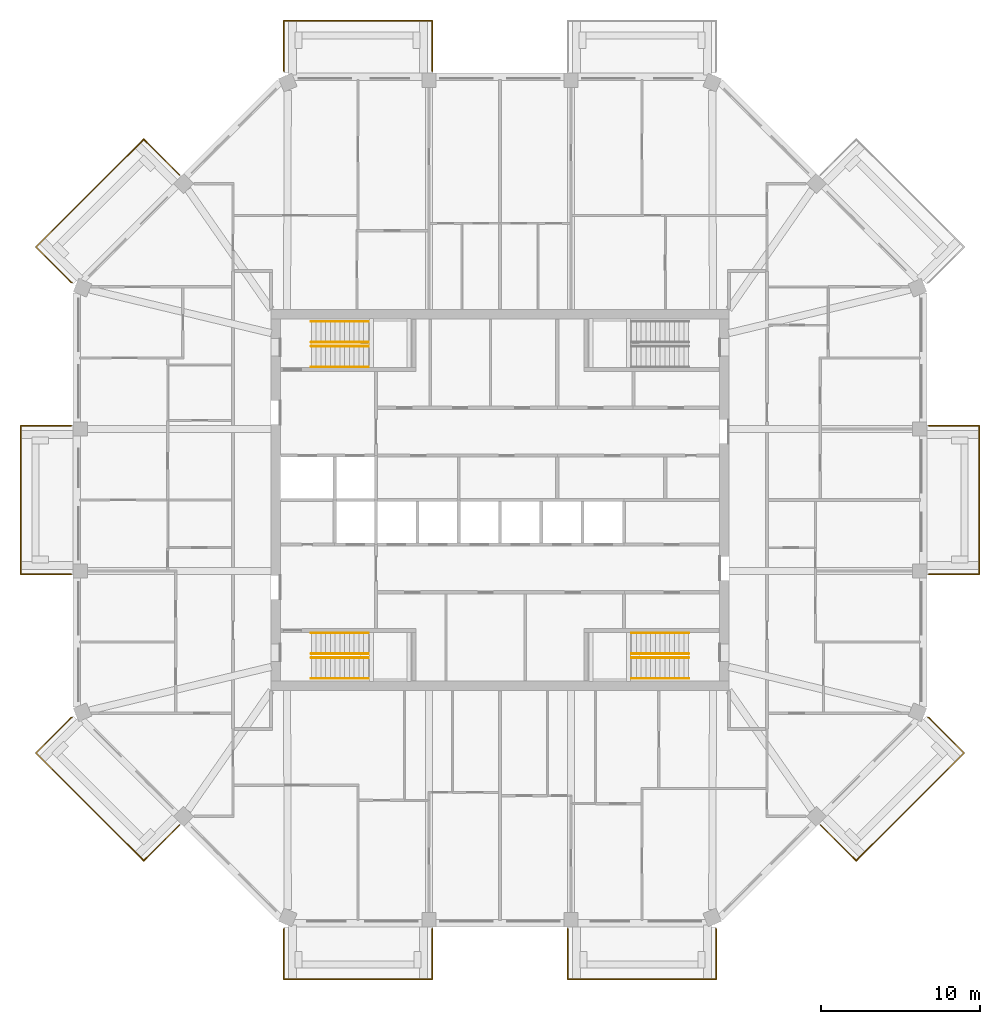
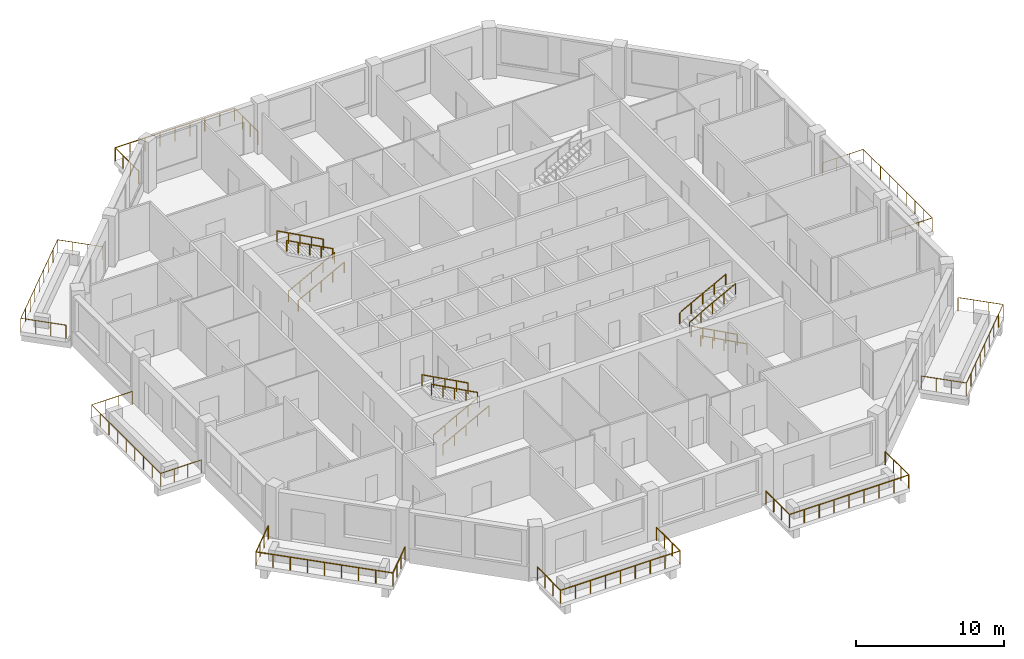
# One storey, part 11 of 12: 20 railings.
"""IFC4 building model written with IfcOpenShell, lengths in metres."""

from ifc_helpers import new_model, si_unit, direction, frame, origin, origin_2d, place, context, subcontext, project, spatial, circle, extrude, material, constituent, constituent_set, type_object, element, save


model = new_model("IFC4")

# Units and contexts
model_context = context("Model", 3, precision=1e-05, world=origin(), true_north=direction((0.0, 1.0)))
body_context = subcontext(model_context, "Body", "Model", "MODEL_VIEW")
ifc_project = project(units=[si_unit("LENGTHUNIT", "METRE"), si_unit("AREAUNIT", "SQUARE_METRE"), si_unit("VOLUMEUNIT", "CUBIC_METRE"), si_unit("PLANEANGLEUNIT", "RADIAN"), si_unit("MASSUNIT", "GRAM", prefix="KILO")], contexts=[model_context])

# Site, building, storey
site_placement = place(None, origin())
site = spatial("IfcSite", under=ifc_project, at=site_placement, CompositionType="ELEMENT")
building_placement = place(site_placement, origin())
building = spatial("IfcBuilding", under=site, at=building_placement, Name="Msitu Wima Residences", CompositionType="ELEMENT")
storey_placement = place(building_placement, frame((0.0, 0.0, 255.89990234375)))
storey = spatial("IfcBuildingStorey", under=building, at=storey_placement, Name="L59", CompositionType="ELEMENT", Elevation=255.89990234375)

# Railings
ifc_material_1 = material(Name="Steel S355", Category="steel")
ifc_constituent_1 = constituent(ifc_material_1, Name="Steel S355")
ifc_material_2 = material(Name="Weathering patina")
ifc_constituent_2 = constituent(ifc_material_2, Name="Weathering patina")
ifc_constituent_set_1 = constituent_set(constituents=[ifc_constituent_1, ifc_constituent_2], Name="Steel S355")
railing_type_1 = type_object("IfcRailingType", Name="Balcony guard GR1100", PredefinedType="GUARDRAIL", material=ifc_constituent_set_1)
railing_1_placement = place(storey_placement, frame((26.97998046875, 4.668701171875, 0.0)))
element("IfcRailing", 1, at=railing_1_placement, inside=storey, type_object=railing_type_1, Name="Balcony guard E1 L59", PredefinedType="GUARDRAIL", context=body_context, shape_type="SweptSolid", body=[
    extrude(circle(Radius=0.02392578125, at=origin_2d()), frame((0.0, 0.0, 1.076171875), z_axis=(1.0, 0.0, 0.0), x_axis=(0.0, 1.0, 0.0)), (0.0, 0.0, 1.0), 3.169921875),
    extrude(circle(Radius=0.02392578125, at=origin_2d()), frame((3.169921875, 0.0, 1.076171875), z_axis=(0.0, -1.0, 0.0), x_axis=(1.0, 0.0, 0.0)), (0.0, 0.0, 1.0), 9.33740234375),
    extrude(circle(Radius=0.02392578125, at=origin_2d()), frame((3.169921875, -9.33740234375, 1.076171875), z_axis=(-1.0, 0.0, 0.0), x_axis=(0.0, -1.0, 0.0)), (0.0, 0.0, 1.0), 3.169921875),
    extrude(circle(Radius=0.02099609375, at=origin_2d()), origin(), (0.0, 0.0, 1.0), 1.052001953125),
    extrude(circle(Radius=0.02099609375, at=origin_2d()), frame((1.056640625, 0.0, 0.0)), (0.0, 0.0, 1.0), 1.052001953125),
    extrude(circle(Radius=0.02099609375, at=origin_2d()), frame((2.11328125, 0.0, 0.0)), (0.0, 0.0, 1.0), 1.052001953125),
    extrude(circle(Radius=0.02099609375, at=origin_2d()), frame((3.169921875, 0.0, 0.0)), (0.0, 0.0, 1.0), 1.052001953125),
    extrude(circle(Radius=0.02099609375, at=origin_2d()), frame((3.169921875, -1.167236328125, 0.0)), (0.0, 0.0, 1.0), 1.052001953125),
    extrude(circle(Radius=0.02099609375, at=origin_2d()), frame((3.169921875, -2.33447265625, 0.0)), (0.0, 0.0, 1.0), 1.052001953125),
    extrude(circle(Radius=0.02099609375, at=origin_2d()), frame((3.169921875, -3.50146484375, 0.0)), (0.0, 0.0, 1.0), 1.052001953125),
    extrude(circle(Radius=0.02099609375, at=origin_2d()), frame((3.169921875, -4.668701171875, 0.0)), (0.0, 0.0, 1.0), 1.052001953125),
    extrude(circle(Radius=0.02099609375, at=origin_2d()), frame((3.169921875, -5.8359375, 0.0)), (0.0, 0.0, 1.0), 1.052001953125),
    extrude(circle(Radius=0.02099609375, at=origin_2d()), frame((3.169921875, -7.0029296875, 0.0)), (0.0, 0.0, 1.0), 1.052001953125),
    extrude(circle(Radius=0.02099609375, at=origin_2d()), frame((3.169921875, -8.170166015625, 0.0)), (0.0, 0.0, 1.0), 1.052001953125),
    extrude(circle(Radius=0.02099609375, at=origin_2d()), frame((3.169921875, -9.33740234375, 0.0)), (0.0, 0.0, 1.0), 1.052001953125),
    extrude(circle(Radius=0.02099609375, at=origin_2d()), frame((2.11328125, -9.33740234375, 0.0)), (0.0, 0.0, 1.0), 1.052001953125),
    extrude(circle(Radius=0.02099609375, at=origin_2d()), frame((1.056640625, -9.33740234375, 0.0)), (0.0, 0.0, 1.0), 1.052001953125),
    extrude(circle(Radius=0.02099609375, at=origin_2d()), frame((0.0, -9.33740234375, 0.0)), (0.0, 0.0, 1.0), 1.052001953125),
])
railing_2_placement = place(storey_placement, frame((-13.592041015625, 26.97998046875, 0.0)))
element("IfcRailing", 2, at=railing_2_placement, inside=storey, type_object=railing_type_1, Name="Balcony guard N2 L59", PredefinedType="GUARDRAIL", context=body_context, shape_type="SweptSolid", body=[
    extrude(circle(Radius=0.02392578125, at=origin_2d()), frame((0.0, 0.0, 1.076171875), z_axis=(-0.384136806859, 0.923276184907, 0.0), x_axis=(-0.923276184907, -0.384136806859, 0.0)), (0.0, 0.0, 1.0), 0.0361328125),
    extrude(circle(Radius=0.02392578125, at=origin_2d()), frame((-0.013916015625, 0.033447265625, 1.076171875), z_axis=(0.0, 1.0, 0.0), x_axis=(-1.0, 0.0, 0.0)), (0.0, 0.0, 1.0), 3.136474609375),
    extrude(circle(Radius=0.02392578125, at=origin_2d()), frame((-0.013916015625, 3.169921875, 1.076171875), z_axis=(1.0, 0.0, 0.0), x_axis=(0.0, 1.0, 0.0)), (0.0, 0.0, 1.0), 9.33740234375),
    extrude(circle(Radius=0.02392578125, at=origin_2d()), frame((9.323486328125, 3.169921875, 1.076171875), z_axis=(0.0, -1.0, 0.0), x_axis=(1.0, 0.0, 0.0)), (0.0, 0.0, 1.0), 3.169921875),
    extrude(circle(Radius=0.02099609375, at=origin_2d()), origin(), (0.0, 0.0, 1.0), 1.052001953125),
    extrude(circle(Radius=0.02099609375, at=origin_2d()), frame((-0.013916015625, 0.033447265625, 0.0)), (0.0, 0.0, 1.0), 1.052001953125),
    extrude(circle(Radius=0.02099609375, at=origin_2d()), frame((-0.013916015625, 1.078857421875, 0.0)), (0.0, 0.0, 1.0), 1.052001953125),
    extrude(circle(Radius=0.02099609375, at=origin_2d()), frame((-0.013916015625, 2.12451171875, 0.0)), (0.0, 0.0, 1.0), 1.052001953125),
    extrude(circle(Radius=0.02099609375, at=origin_2d()), frame((-0.013916015625, 3.169921875, 0.0)), (0.0, 0.0, 1.0), 1.052001953125),
    extrude(circle(Radius=0.02099609375, at=origin_2d()), frame((1.1533203125, 3.169921875, 0.0)), (0.0, 0.0, 1.0), 1.052001953125),
    extrude(circle(Radius=0.02099609375, at=origin_2d()), frame((2.3203125, 3.169921875, 0.0)), (0.0, 0.0, 1.0), 1.052001953125),
    extrude(circle(Radius=0.02099609375, at=origin_2d()), frame((3.487548828125, 3.169921875, 0.0)), (0.0, 0.0, 1.0), 1.052001953125),
    extrude(circle(Radius=0.02099609375, at=origin_2d()), frame((4.65478515625, 3.169921875, 0.0)), (0.0, 0.0, 1.0), 1.052001953125),
    extrude(circle(Radius=0.02099609375, at=origin_2d()), frame((5.822021484375, 3.169921875, 0.0)), (0.0, 0.0, 1.0), 1.052001953125),
    extrude(circle(Radius=0.02099609375, at=origin_2d()), frame((6.9892578125, 3.169921875, 0.0)), (0.0, 0.0, 1.0), 1.052001953125),
    extrude(circle(Radius=0.02099609375, at=origin_2d()), frame((8.15625, 3.169921875, 0.0)), (0.0, 0.0, 1.0), 1.052001953125),
    extrude(circle(Radius=0.02099609375, at=origin_2d()), frame((9.323486328125, 3.169921875, 0.0)), (0.0, 0.0, 1.0), 1.052001953125),
    extrude(circle(Radius=0.02099609375, at=origin_2d()), frame((9.323486328125, 2.11328125, 0.0)), (0.0, 0.0, 1.0), 1.052001953125),
    extrude(circle(Radius=0.02099609375, at=origin_2d()), frame((9.323486328125, 1.056640625, 0.0)), (0.0, 0.0, 1.0), 1.052001953125),
    extrude(circle(Radius=0.02099609375, at=origin_2d()), frame((9.323486328125, 0.0, 0.0)), (0.0, 0.0, 1.0), 1.052001953125),
])
railing_3_placement = place(storey_placement, frame((-26.941650390625, 13.684326171875, 0.0)))
element("IfcRailing", 3, at=railing_3_placement, inside=storey, type_object=railing_type_1, Name="Balcony guard NW1 L59", PredefinedType="GUARDRAIL", context=body_context, shape_type="SweptSolid", body=[
    extrude(circle(Radius=0.02392578125, at=origin_2d()), frame((0.0, 0.0, 1.076171875), z_axis=(-0.92426142649, 0.38176015442, 0.0), x_axis=(-0.38176015442, -0.92426142649, 0.0)), (0.0, 0.0, 1.0), 0.036376953125),
    extrude(circle(Radius=0.02392578125, at=origin_2d()), frame((-0.03369140625, 0.013916015625, 1.076171875), z_axis=(-0.707106781187, 0.707106781187, 0.0), x_axis=(-0.707106781187, -0.707106781187, 0.0)), (0.0, 0.0, 1.0), 3.136474609375),
    extrude(circle(Radius=0.02392578125, at=origin_2d()), frame((-2.25146484375, 2.231689453125, 1.076171875), z_axis=(0.707106781187, 0.707106781187, 0.0), x_axis=(-0.707106781187, 0.707106781187, 0.0)), (0.0, 0.0, 1.0), 9.58837890625),
    extrude(circle(Radius=0.02392578125, at=origin_2d()), frame((4.528564453125, 9.01171875, 1.076171875), z_axis=(0.707106781187, -0.707106781187, 0.0), x_axis=(0.707106781187, 0.707106781187, 0.0)), (0.0, 0.0, 1.0), 3.169921875),
    extrude(circle(Radius=0.02099609375, at=origin_2d()), origin(), (0.0, 0.0, 1.0), 1.052001953125),
    extrude(circle(Radius=0.02099609375, at=origin_2d()), frame((-0.03369140625, 0.013916015625, 0.0)), (0.0, 0.0, 1.0), 1.052001953125),
    extrude(circle(Radius=0.02099609375, at=origin_2d()), frame((-0.77294921875, 0.753173828125, 0.0)), (0.0, 0.0, 1.0), 1.052001953125),
    extrude(circle(Radius=0.02099609375, at=origin_2d()), frame((-1.51220703125, 1.492431640625, 0.0)), (0.0, 0.0, 1.0), 1.052001953125),
    extrude(circle(Radius=0.02099609375, at=origin_2d()), frame((-2.25146484375, 2.231689453125, 0.0)), (0.0, 0.0, 1.0), 1.052001953125),
    extrude(circle(Radius=0.02099609375, at=origin_2d()), frame((-1.404052734375, 3.0791015625, 0.0)), (0.0, 0.0, 1.0), 1.052001953125),
    extrude(circle(Radius=0.02099609375, at=origin_2d()), frame((-0.556396484375, 3.9267578125, 0.0)), (0.0, 0.0, 1.0), 1.052001953125),
    extrude(circle(Radius=0.02099609375, at=origin_2d()), frame((0.291015625, 4.774169921875, 0.0)), (0.0, 0.0, 1.0), 1.052001953125),
    extrude(circle(Radius=0.02099609375, at=origin_2d()), frame((1.138671875, 5.62158203125, 0.0)), (0.0, 0.0, 1.0), 1.052001953125),
    extrude(circle(Radius=0.02099609375, at=origin_2d()), frame((1.986083984375, 6.46923828125, 0.0)), (0.0, 0.0, 1.0), 1.052001953125),
    extrude(circle(Radius=0.02099609375, at=origin_2d()), frame((2.83349609375, 7.316650390625, 0.0)), (0.0, 0.0, 1.0), 1.052001953125),
    extrude(circle(Radius=0.02099609375, at=origin_2d()), frame((3.68115234375, 8.164306640625, 0.0)), (0.0, 0.0, 1.0), 1.052001953125),
    extrude(circle(Radius=0.02099609375, at=origin_2d()), frame((4.528564453125, 9.01171875, 0.0)), (0.0, 0.0, 1.0), 1.052001953125),
    extrude(circle(Radius=0.02099609375, at=origin_2d()), frame((5.275634765625, 8.2646484375, 0.0)), (0.0, 0.0, 1.0), 1.052001953125),
    extrude(circle(Radius=0.02099609375, at=origin_2d()), frame((6.02294921875, 7.517333984375, 0.0)), (0.0, 0.0, 1.0), 1.052001953125),
    extrude(circle(Radius=0.02099609375, at=origin_2d()), frame((6.77001953125, 6.770263671875, 0.0)), (0.0, 0.0, 1.0), 1.052001953125),
])
railing_4_placement = place(storey_placement, frame((-26.97998046875, -4.668701171875, 0.0)))
element("IfcRailing", 4, at=railing_4_placement, inside=storey, type_object=railing_type_1, Name="Balcony guard W1 L59", PredefinedType="GUARDRAIL", context=body_context, shape_type="SweptSolid", body=[
    extrude(circle(Radius=0.02392578125, at=origin_2d()), frame((0.0, 0.0, 1.076171875), z_axis=(-1.0, 0.0, 0.0), x_axis=(0.0, -1.0, 0.0)), (0.0, 0.0, 1.0), 3.169921875),
    extrude(circle(Radius=0.02392578125, at=origin_2d()), frame((-3.169921875, 0.0, 1.076171875), z_axis=(0.0, 1.0, 0.0), x_axis=(-1.0, 0.0, 0.0)), (0.0, 0.0, 1.0), 9.33740234375),
    extrude(circle(Radius=0.02392578125, at=origin_2d()), frame((-3.169921875, 9.33740234375, 1.076171875), z_axis=(1.0, 0.0, 0.0), x_axis=(0.0, 1.0, 0.0)), (0.0, 0.0, 1.0), 3.169921875),
    extrude(circle(Radius=0.02099609375, at=origin_2d()), origin(), (0.0, 0.0, 1.0), 1.052001953125),
    extrude(circle(Radius=0.02099609375, at=origin_2d()), frame((-1.056640625, 0.0, 0.0)), (0.0, 0.0, 1.0), 1.052001953125),
    extrude(circle(Radius=0.02099609375, at=origin_2d()), frame((-2.11328125, 0.0, 0.0)), (0.0, 0.0, 1.0), 1.052001953125),
    extrude(circle(Radius=0.02099609375, at=origin_2d()), frame((-3.169921875, 0.0, 0.0)), (0.0, 0.0, 1.0), 1.052001953125),
    extrude(circle(Radius=0.02099609375, at=origin_2d()), frame((-3.169921875, 1.167236328125, 0.0)), (0.0, 0.0, 1.0), 1.052001953125),
    extrude(circle(Radius=0.02099609375, at=origin_2d()), frame((-3.169921875, 2.33447265625, 0.0)), (0.0, 0.0, 1.0), 1.052001953125),
    extrude(circle(Radius=0.02099609375, at=origin_2d()), frame((-3.169921875, 3.50146484375, 0.0)), (0.0, 0.0, 1.0), 1.052001953125),
    extrude(circle(Radius=0.02099609375, at=origin_2d()), frame((-3.169921875, 4.668701171875, 0.0)), (0.0, 0.0, 1.0), 1.052001953125),
    extrude(circle(Radius=0.02099609375, at=origin_2d()), frame((-3.169921875, 5.8359375, 0.0)), (0.0, 0.0, 1.0), 1.052001953125),
    extrude(circle(Radius=0.02099609375, at=origin_2d()), frame((-3.169921875, 7.0029296875, 0.0)), (0.0, 0.0, 1.0), 1.052001953125),
    extrude(circle(Radius=0.02099609375, at=origin_2d()), frame((-3.169921875, 8.170166015625, 0.0)), (0.0, 0.0, 1.0), 1.052001953125),
    extrude(circle(Radius=0.02099609375, at=origin_2d()), frame((-3.169921875, 9.33740234375, 0.0)), (0.0, 0.0, 1.0), 1.052001953125),
    extrude(circle(Radius=0.02099609375, at=origin_2d()), frame((-2.11328125, 9.33740234375, 0.0)), (0.0, 0.0, 1.0), 1.052001953125),
    extrude(circle(Radius=0.02099609375, at=origin_2d()), frame((-1.056640625, 9.33740234375, 0.0)), (0.0, 0.0, 1.0), 1.052001953125),
    extrude(circle(Radius=0.02099609375, at=origin_2d()), frame((0.0, 9.33740234375, 0.0)), (0.0, 0.0, 1.0), 1.052001953125),
])
railing_5_placement = place(storey_placement, frame((-20.171630859375, -20.45458984375, 0.0)))
element("IfcRailing", 5, at=railing_5_placement, inside=storey, type_object=railing_type_1, Name="Balcony guard SW0 L59", PredefinedType="GUARDRAIL", context=body_context, shape_type="SweptSolid", body=[
    extrude(circle(Radius=0.02392578125, at=origin_2d()), frame((0.0, 0.0, 1.076171875), z_axis=(-0.707106781187, -0.707106781187, 0.0), x_axis=(0.707106781187, -0.707106781187, 0.0)), (0.0, 0.0, 1.0), 3.169921875),
    extrude(circle(Radius=0.02392578125, at=origin_2d()), frame((-2.241455078125, -2.241455078125, 1.076171875), z_axis=(-0.707106781187, 0.707106781187, 0.0), x_axis=(-0.707106781187, -0.707106781187, 0.0)), (0.0, 0.0, 1.0), 9.58837890625),
    extrude(circle(Radius=0.02392578125, at=origin_2d()), frame((-9.021484375, 4.53857421875, 1.076171875), z_axis=(0.707106781187, 0.707106781187, 0.0), x_axis=(-0.707106781187, 0.707106781187, 0.0)), (0.0, 0.0, 1.0), 3.136474609375),
    extrude(circle(Radius=0.02392578125, at=origin_2d()), frame((-6.8037109375, 6.75634765625, 1.076171875), z_axis=(0.92426142649, 0.38176015442, 0.0), x_axis=(-0.38176015442, 0.92426142649, 0.0)), (0.0, 0.0, 1.0), 0.036376953125),
    extrude(circle(Radius=0.02099609375, at=origin_2d()), origin(), (0.0, 0.0, 1.0), 1.052001953125),
    extrude(circle(Radius=0.02099609375, at=origin_2d()), frame((-0.7470703125, -0.7470703125, 0.0)), (0.0, 0.0, 1.0), 1.052001953125),
    extrude(circle(Radius=0.02099609375, at=origin_2d()), frame((-1.494384765625, -1.494384765625, 0.0)), (0.0, 0.0, 1.0), 1.052001953125),
    extrude(circle(Radius=0.02099609375, at=origin_2d()), frame((-2.241455078125, -2.241455078125, 0.0)), (0.0, 0.0, 1.0), 1.052001953125),
    extrude(circle(Radius=0.02099609375, at=origin_2d()), frame((-3.0888671875, -1.39404296875, 0.0)), (0.0, 0.0, 1.0), 1.052001953125),
    extrude(circle(Radius=0.02099609375, at=origin_2d()), frame((-3.9365234375, -0.54638671875, 0.0)), (0.0, 0.0, 1.0), 1.052001953125),
    extrude(circle(Radius=0.02099609375, at=origin_2d()), frame((-4.783935546875, 0.301025390625, 0.0)), (0.0, 0.0, 1.0), 1.052001953125),
    extrude(circle(Radius=0.02099609375, at=origin_2d()), frame((-5.63134765625, 1.1484375, 0.0)), (0.0, 0.0, 1.0), 1.052001953125),
    extrude(circle(Radius=0.02099609375, at=origin_2d()), frame((-6.47900390625, 1.99609375, 0.0)), (0.0, 0.0, 1.0), 1.052001953125),
    extrude(circle(Radius=0.02099609375, at=origin_2d()), frame((-7.326416015625, 2.843505859375, 0.0)), (0.0, 0.0, 1.0), 1.052001953125),
    extrude(circle(Radius=0.02099609375, at=origin_2d()), frame((-8.174072265625, 3.691162109375, 0.0)), (0.0, 0.0, 1.0), 1.052001953125),
    extrude(circle(Radius=0.02099609375, at=origin_2d()), frame((-9.021484375, 4.53857421875, 0.0)), (0.0, 0.0, 1.0), 1.052001953125),
    extrude(circle(Radius=0.02099609375, at=origin_2d()), frame((-8.2822265625, 5.27783203125, 0.0)), (0.0, 0.0, 1.0), 1.052001953125),
    extrude(circle(Radius=0.02099609375, at=origin_2d()), frame((-7.54296875, 6.01708984375, 0.0)), (0.0, 0.0, 1.0), 1.052001953125),
    extrude(circle(Radius=0.02099609375, at=origin_2d()), frame((-6.8037109375, 6.75634765625, 0.0)), (0.0, 0.0, 1.0), 1.052001953125),
    extrude(circle(Radius=0.02099609375, at=origin_2d()), frame((-6.77001953125, 6.770263671875, 0.0)), (0.0, 0.0, 1.0), 1.052001953125),
])
railing_6_placement = place(storey_placement, frame((-4.2685546875, -26.97998046875, 0.0)))
element("IfcRailing", 6, at=railing_6_placement, inside=storey, type_object=railing_type_1, Name="Balcony guard S0 L59", PredefinedType="GUARDRAIL", context=body_context, shape_type="SweptSolid", body=[
    extrude(circle(Radius=0.02392578125, at=origin_2d()), frame((0.0, 0.0, 1.076171875), z_axis=(0.0, -1.0, 0.0), x_axis=(1.0, 0.0, 0.0)), (0.0, 0.0, 1.0), 3.169921875),
    extrude(circle(Radius=0.02392578125, at=origin_2d()), frame((0.0, -3.169921875, 1.076171875), z_axis=(-1.0, 0.0, 0.0), x_axis=(0.0, -1.0, 0.0)), (0.0, 0.0, 1.0), 9.33740234375),
    extrude(circle(Radius=0.02392578125, at=origin_2d()), frame((-9.33740234375, -3.169921875, 1.076171875), z_axis=(0.0, 1.0, 0.0), x_axis=(-1.0, 0.0, 0.0)), (0.0, 0.0, 1.0), 3.136474609375),
    extrude(circle(Radius=0.02392578125, at=origin_2d()), frame((-9.33740234375, -0.033447265625, 1.076171875), z_axis=(0.384136806859, 0.923276184907, 0.0), x_axis=(-0.923276184907, 0.384136806859, 0.0)), (0.0, 0.0, 1.0), 0.0361328125),
    extrude(circle(Radius=0.02099609375, at=origin_2d()), origin(), (0.0, 0.0, 1.0), 1.052001953125),
    extrude(circle(Radius=0.02099609375, at=origin_2d()), frame((0.0, -1.056640625, 0.0)), (0.0, 0.0, 1.0), 1.052001953125),
    extrude(circle(Radius=0.02099609375, at=origin_2d()), frame((0.0, -2.11328125, 0.0)), (0.0, 0.0, 1.0), 1.052001953125),
    extrude(circle(Radius=0.02099609375, at=origin_2d()), frame((0.0, -3.169921875, 0.0)), (0.0, 0.0, 1.0), 1.052001953125),
    extrude(circle(Radius=0.02099609375, at=origin_2d()), frame((-1.167236328125, -3.169921875, 0.0)), (0.0, 0.0, 1.0), 1.052001953125),
    extrude(circle(Radius=0.02099609375, at=origin_2d()), frame((-2.33447265625, -3.169921875, 0.0)), (0.0, 0.0, 1.0), 1.052001953125),
    extrude(circle(Radius=0.02099609375, at=origin_2d()), frame((-3.50146484375, -3.169921875, 0.0)), (0.0, 0.0, 1.0), 1.052001953125),
    extrude(circle(Radius=0.02099609375, at=origin_2d()), frame((-4.668701171875, -3.169921875, 0.0)), (0.0, 0.0, 1.0), 1.052001953125),
    extrude(circle(Radius=0.02099609375, at=origin_2d()), frame((-5.8359375, -3.169921875, 0.0)), (0.0, 0.0, 1.0), 1.052001953125),
    extrude(circle(Radius=0.02099609375, at=origin_2d()), frame((-7.0029296875, -3.169921875, 0.0)), (0.0, 0.0, 1.0), 1.052001953125),
    extrude(circle(Radius=0.02099609375, at=origin_2d()), frame((-8.170166015625, -3.169921875, 0.0)), (0.0, 0.0, 1.0), 1.052001953125),
    extrude(circle(Radius=0.02099609375, at=origin_2d()), frame((-9.33740234375, -3.169921875, 0.0)), (0.0, 0.0, 1.0), 1.052001953125),
    extrude(circle(Radius=0.02099609375, at=origin_2d()), frame((-9.33740234375, -2.12451171875, 0.0)), (0.0, 0.0, 1.0), 1.052001953125),
    extrude(circle(Radius=0.02099609375, at=origin_2d()), frame((-9.33740234375, -1.078857421875, 0.0)), (0.0, 0.0, 1.0), 1.052001953125),
    extrude(circle(Radius=0.02099609375, at=origin_2d()), frame((-9.33740234375, -0.033447265625, 0.0)), (0.0, 0.0, 1.0), 1.052001953125),
    extrude(circle(Radius=0.02099609375, at=origin_2d()), frame((-9.323486328125, 0.0, 0.0)), (0.0, 0.0, 1.0), 1.052001953125),
])
railing_7_placement = place(storey_placement, frame((13.592041015625, -26.97998046875, 0.0)))
element("IfcRailing", 7, at=railing_7_placement, inside=storey, type_object=railing_type_1, Name="Balcony guard S2 L59", PredefinedType="GUARDRAIL", context=body_context, shape_type="SweptSolid", body=[
    extrude(circle(Radius=0.02392578125, at=origin_2d()), frame((0.0, 0.0, 1.076171875), z_axis=(0.384136806859, -0.923276184907, 0.0), x_axis=(0.923276184907, 0.384136806859, 0.0)), (0.0, 0.0, 1.0), 0.0361328125),
    extrude(circle(Radius=0.02392578125, at=origin_2d()), frame((0.013916015625, -0.033447265625, 1.076171875), z_axis=(0.0, -1.0, 0.0), x_axis=(1.0, 0.0, 0.0)), (0.0, 0.0, 1.0), 3.136474609375),
    extrude(circle(Radius=0.02392578125, at=origin_2d()), frame((0.013916015625, -3.169921875, 1.076171875), z_axis=(-1.0, 0.0, 0.0), x_axis=(0.0, -1.0, 0.0)), (0.0, 0.0, 1.0), 9.33740234375),
    extrude(circle(Radius=0.02392578125, at=origin_2d()), frame((-9.323486328125, -3.169921875, 1.076171875), z_axis=(0.0, 1.0, 0.0), x_axis=(-1.0, 0.0, 0.0)), (0.0, 0.0, 1.0), 3.169921875),
    extrude(circle(Radius=0.02099609375, at=origin_2d()), origin(), (0.0, 0.0, 1.0), 1.052001953125),
    extrude(circle(Radius=0.02099609375, at=origin_2d()), frame((0.013916015625, -0.033447265625, 0.0)), (0.0, 0.0, 1.0), 1.052001953125),
    extrude(circle(Radius=0.02099609375, at=origin_2d()), frame((0.013916015625, -1.078857421875, 0.0)), (0.0, 0.0, 1.0), 1.052001953125),
    extrude(circle(Radius=0.02099609375, at=origin_2d()), frame((0.013916015625, -2.12451171875, 0.0)), (0.0, 0.0, 1.0), 1.052001953125),
    extrude(circle(Radius=0.02099609375, at=origin_2d()), frame((0.013916015625, -3.169921875, 0.0)), (0.0, 0.0, 1.0), 1.052001953125),
    extrude(circle(Radius=0.02099609375, at=origin_2d()), frame((-1.1533203125, -3.169921875, 0.0)), (0.0, 0.0, 1.0), 1.052001953125),
    extrude(circle(Radius=0.02099609375, at=origin_2d()), frame((-2.3203125, -3.169921875, 0.0)), (0.0, 0.0, 1.0), 1.052001953125),
    extrude(circle(Radius=0.02099609375, at=origin_2d()), frame((-3.487548828125, -3.169921875, 0.0)), (0.0, 0.0, 1.0), 1.052001953125),
    extrude(circle(Radius=0.02099609375, at=origin_2d()), frame((-4.65478515625, -3.169921875, 0.0)), (0.0, 0.0, 1.0), 1.052001953125),
    extrude(circle(Radius=0.02099609375, at=origin_2d()), frame((-5.822021484375, -3.169921875, 0.0)), (0.0, 0.0, 1.0), 1.052001953125),
    extrude(circle(Radius=0.02099609375, at=origin_2d()), frame((-6.9892578125, -3.169921875, 0.0)), (0.0, 0.0, 1.0), 1.052001953125),
    extrude(circle(Radius=0.02099609375, at=origin_2d()), frame((-8.15625, -3.169921875, 0.0)), (0.0, 0.0, 1.0), 1.052001953125),
    extrude(circle(Radius=0.02099609375, at=origin_2d()), frame((-9.323486328125, -3.169921875, 0.0)), (0.0, 0.0, 1.0), 1.052001953125),
    extrude(circle(Radius=0.02099609375, at=origin_2d()), frame((-9.323486328125, -2.11328125, 0.0)), (0.0, 0.0, 1.0), 1.052001953125),
    extrude(circle(Radius=0.02099609375, at=origin_2d()), frame((-9.323486328125, -1.056640625, 0.0)), (0.0, 0.0, 1.0), 1.052001953125),
    extrude(circle(Radius=0.02099609375, at=origin_2d()), frame((-9.323486328125, 0.0, 0.0)), (0.0, 0.0, 1.0), 1.052001953125),
])
railing_8_placement = place(storey_placement, frame((26.941650390625, -13.684326171875, 0.0)))
element("IfcRailing", 8, at=railing_8_placement, inside=storey, type_object=railing_type_1, Name="Balcony guard SE1 L59", PredefinedType="GUARDRAIL", context=body_context, shape_type="SweptSolid", body=[
    extrude(circle(Radius=0.02392578125, at=origin_2d()), frame((0.0, 0.0, 1.076171875), z_axis=(0.92426142649, -0.38176015442, 0.0), x_axis=(0.38176015442, 0.92426142649, 0.0)), (0.0, 0.0, 1.0), 0.036376953125),
    extrude(circle(Radius=0.02392578125, at=origin_2d()), frame((0.03369140625, -0.013916015625, 1.076171875), z_axis=(0.707106781187, -0.707106781187, 0.0), x_axis=(0.707106781187, 0.707106781187, 0.0)), (0.0, 0.0, 1.0), 3.136474609375),
    extrude(circle(Radius=0.02392578125, at=origin_2d()), frame((2.25146484375, -2.231689453125, 1.076171875), z_axis=(-0.707106781187, -0.707106781187, 0.0), x_axis=(0.707106781187, -0.707106781187, 0.0)), (0.0, 0.0, 1.0), 9.58837890625),
    extrude(circle(Radius=0.02392578125, at=origin_2d()), frame((-4.528564453125, -9.01171875, 1.076171875), z_axis=(-0.707106781187, 0.707106781187, 0.0), x_axis=(-0.707106781187, -0.707106781187, 0.0)), (0.0, 0.0, 1.0), 3.169921875),
    extrude(circle(Radius=0.02099609375, at=origin_2d()), origin(), (0.0, 0.0, 1.0), 1.052001953125),
    extrude(circle(Radius=0.02099609375, at=origin_2d()), frame((0.03369140625, -0.013916015625, 0.0)), (0.0, 0.0, 1.0), 1.052001953125),
    extrude(circle(Radius=0.02099609375, at=origin_2d()), frame((0.77294921875, -0.753173828125, 0.0)), (0.0, 0.0, 1.0), 1.052001953125),
    extrude(circle(Radius=0.02099609375, at=origin_2d()), frame((1.51220703125, -1.492431640625, 0.0)), (0.0, 0.0, 1.0), 1.052001953125),
    extrude(circle(Radius=0.02099609375, at=origin_2d()), frame((2.25146484375, -2.231689453125, 0.0)), (0.0, 0.0, 1.0), 1.052001953125),
    extrude(circle(Radius=0.02099609375, at=origin_2d()), frame((1.404052734375, -3.0791015625, 0.0)), (0.0, 0.0, 1.0), 1.052001953125),
    extrude(circle(Radius=0.02099609375, at=origin_2d()), frame((0.556396484375, -3.9267578125, 0.0)), (0.0, 0.0, 1.0), 1.052001953125),
    extrude(circle(Radius=0.02099609375, at=origin_2d()), frame((-0.291015625, -4.774169921875, 0.0)), (0.0, 0.0, 1.0), 1.052001953125),
    extrude(circle(Radius=0.02099609375, at=origin_2d()), frame((-1.138671875, -5.62158203125, 0.0)), (0.0, 0.0, 1.0), 1.052001953125),
    extrude(circle(Radius=0.02099609375, at=origin_2d()), frame((-1.986083984375, -6.46923828125, 0.0)), (0.0, 0.0, 1.0), 1.052001953125),
    extrude(circle(Radius=0.02099609375, at=origin_2d()), frame((-2.83349609375, -7.316650390625, 0.0)), (0.0, 0.0, 1.0), 1.052001953125),
    extrude(circle(Radius=0.02099609375, at=origin_2d()), frame((-3.68115234375, -8.164306640625, 0.0)), (0.0, 0.0, 1.0), 1.052001953125),
    extrude(circle(Radius=0.02099609375, at=origin_2d()), frame((-4.528564453125, -9.01171875, 0.0)), (0.0, 0.0, 1.0), 1.052001953125),
    extrude(circle(Radius=0.02099609375, at=origin_2d()), frame((-5.275634765625, -8.2646484375, 0.0)), (0.0, 0.0, 1.0), 1.052001953125),
    extrude(circle(Radius=0.02099609375, at=origin_2d()), frame((-6.02294921875, -7.517333984375, 0.0)), (0.0, 0.0, 1.0), 1.052001953125),
    extrude(circle(Radius=0.02099609375, at=origin_2d()), frame((-6.77001953125, -6.770263671875, 0.0)), (0.0, 0.0, 1.0), 1.052001953125),
])
ifc_constituent_3 = constituent(ifc_material_1, Name="Steel S355")
ifc_material_3 = material(Name="Black powder coating")
ifc_constituent_4 = constituent(ifc_material_3, Name="Black powder coating")
ifc_constituent_set_2 = constituent_set(constituents=[ifc_constituent_3, ifc_constituent_4], Name="Steel S355")
railing_type_2 = type_object("IfcRailingType", Name="Stair handrail HR1", PredefinedType="HANDRAIL", material=ifc_constituent_set_2)
for number, where, name in (
    (9, (-11.875, 8.375, 0.16162109375), "Stair 1 handrail"),
    (10, (-11.875, 9.675048828125, 0.16162109375), "Stair 1 handrail"),
):
    element("IfcRailing", number, at=place(storey_placement, frame(where)), inside=storey, type_object=railing_type_2, Name=name, PredefinedType="HANDRAIL", context=body_context, shape_type="SweptSolid", body=[
        extrude(circle(Radius=0.02392578125, at=origin_2d()), frame((0.0, 0.0, 0.8759765625), z_axis=(0.880474934443, 0.0, 0.474092701714), x_axis=(0.0, 1.0, 0.0)), (0.0, 0.0, 1.0), 4.0888671875),
        extrude(circle(Radius=0.02099609375, at=origin_2d()), origin(), (0.0, 0.0, 1.0), 0.851806640625),
        extrude(circle(Radius=0.02099609375, at=origin_2d()), frame((0.89990234375, 0.0, 0.484619140625)), (0.0, 0.0, 1.0), 0.851806640625),
        extrude(circle(Radius=0.02099609375, at=origin_2d()), frame((1.800048828125, 0.0, 0.96923828125)), (0.0, 0.0, 1.0), 0.851806640625),
        extrude(circle(Radius=0.02099609375, at=origin_2d()), frame((2.7001953125, 0.0, 1.453857421875)), (0.0, 0.0, 1.0), 0.851806640625),
        extrude(circle(Radius=0.02099609375, at=origin_2d()), frame((3.60009765625, 0.0, 1.9384765625)), (0.0, 0.0, 1.0), 0.851806640625),
    ])
for number, where, name in (
    (11, (-8.27490234375, 9.925048828125, 2.26171875), "Stair 1 handrail"),
    (12, (-8.27490234375, 11.22509765625, 2.26171875), "Stair 1 handrail"),
):
    element("IfcRailing", number, at=place(storey_placement, frame(where)), inside=storey, type_object=railing_type_2, Name=name, PredefinedType="HANDRAIL", context=body_context, shape_type="SweptSolid", body=[
        extrude(circle(Radius=0.02392578125, at=origin_2d()), frame((0.0, 0.0, 0.8759765625), z_axis=(-0.880474934443, 0.0, 0.474092701714), x_axis=(0.0, -1.0, 0.0)), (0.0, 0.0, 1.0), 4.0888671875),
        extrude(circle(Radius=0.02099609375, at=origin_2d()), origin(), (0.0, 0.0, 1.0), 0.851806640625),
        extrude(circle(Radius=0.02099609375, at=origin_2d()), frame((-0.89990234375, 0.0, 0.484619140625)), (0.0, 0.0, 1.0), 0.851806640625),
        extrude(circle(Radius=0.02099609375, at=origin_2d()), frame((-1.800048828125, 0.0, 0.96923828125)), (0.0, 0.0, 1.0), 0.851806640625),
        extrude(circle(Radius=0.02099609375, at=origin_2d()), frame((-2.7001953125, 0.0, 1.453857421875)), (0.0, 0.0, 1.0), 0.851806640625),
        extrude(circle(Radius=0.02099609375, at=origin_2d()), frame((-3.60009765625, 0.0, 1.9384765625)), (0.0, 0.0, 1.0), 0.851806640625),
    ])
for number, where, name in (
    (13, (-11.875, -11.22509765625, 0.16162109375), "Stair 2 handrail"),
    (14, (-11.875, -9.925048828125, 0.16162109375), "Stair 2 handrail"),
):
    element("IfcRailing", number, at=place(storey_placement, frame(where)), inside=storey, type_object=railing_type_2, Name=name, PredefinedType="HANDRAIL", context=body_context, shape_type="SweptSolid", body=[
        extrude(circle(Radius=0.02392578125, at=origin_2d()), frame((0.0, 0.0, 0.8759765625), z_axis=(0.880474934443, 0.0, 0.474092701714), x_axis=(0.0, 1.0, 0.0)), (0.0, 0.0, 1.0), 4.0888671875),
        extrude(circle(Radius=0.02099609375, at=origin_2d()), origin(), (0.0, 0.0, 1.0), 0.851806640625),
        extrude(circle(Radius=0.02099609375, at=origin_2d()), frame((0.89990234375, 0.0, 0.484619140625)), (0.0, 0.0, 1.0), 0.851806640625),
        extrude(circle(Radius=0.02099609375, at=origin_2d()), frame((1.800048828125, 0.0, 0.96923828125)), (0.0, 0.0, 1.0), 0.851806640625),
        extrude(circle(Radius=0.02099609375, at=origin_2d()), frame((2.7001953125, 0.0, 1.453857421875)), (0.0, 0.0, 1.0), 0.851806640625),
        extrude(circle(Radius=0.02099609375, at=origin_2d()), frame((3.60009765625, 0.0, 1.9384765625)), (0.0, 0.0, 1.0), 0.851806640625),
    ])
for number, where, name in (
    (15, (-8.27490234375, -9.675048828125, 2.26171875), "Stair 2 handrail"),
    (16, (-8.27490234375, -8.375, 2.26171875), "Stair 2 handrail"),
    (17, (11.875, -11.22509765625, 0.16162109375), "Stair 4 handrail"),
    (18, (11.875, -9.925048828125, 0.16162109375), "Stair 4 handrail"),
):
    element("IfcRailing", number, at=place(storey_placement, frame(where)), inside=storey, type_object=railing_type_2, Name=name, PredefinedType="HANDRAIL", context=body_context, shape_type="SweptSolid", body=[
        extrude(circle(Radius=0.02392578125, at=origin_2d()), frame((0.0, 0.0, 0.8759765625), z_axis=(-0.880474934443, 0.0, 0.474092701714), x_axis=(0.0, -1.0, 0.0)), (0.0, 0.0, 1.0), 4.0888671875),
        extrude(circle(Radius=0.02099609375, at=origin_2d()), origin(), (0.0, 0.0, 1.0), 0.851806640625),
        extrude(circle(Radius=0.02099609375, at=origin_2d()), frame((-0.89990234375, 0.0, 0.484619140625)), (0.0, 0.0, 1.0), 0.851806640625),
        extrude(circle(Radius=0.02099609375, at=origin_2d()), frame((-1.800048828125, 0.0, 0.96923828125)), (0.0, 0.0, 1.0), 0.851806640625),
        extrude(circle(Radius=0.02099609375, at=origin_2d()), frame((-2.7001953125, 0.0, 1.453857421875)), (0.0, 0.0, 1.0), 0.851806640625),
        extrude(circle(Radius=0.02099609375, at=origin_2d()), frame((-3.60009765625, 0.0, 1.9384765625)), (0.0, 0.0, 1.0), 0.851806640625),
    ])
for number, where, name in (
    (19, (8.27490234375, -9.675048828125, 2.26171875), "Stair 4 handrail"),
    (20, (8.27490234375, -8.375, 2.26171875), "Stair 4 handrail"),
):
    element("IfcRailing", number, at=place(storey_placement, frame(where)), inside=storey, type_object=railing_type_2, Name=name, PredefinedType="HANDRAIL", context=body_context, shape_type="SweptSolid", body=[
        extrude(circle(Radius=0.02392578125, at=origin_2d()), frame((0.0, 0.0, 0.8759765625), z_axis=(0.880474934443, 0.0, 0.474092701714), x_axis=(0.0, 1.0, 0.0)), (0.0, 0.0, 1.0), 4.0888671875),
        extrude(circle(Radius=0.02099609375, at=origin_2d()), origin(), (0.0, 0.0, 1.0), 0.851806640625),
        extrude(circle(Radius=0.02099609375, at=origin_2d()), frame((0.89990234375, 0.0, 0.484619140625)), (0.0, 0.0, 1.0), 0.851806640625),
        extrude(circle(Radius=0.02099609375, at=origin_2d()), frame((1.800048828125, 0.0, 0.96923828125)), (0.0, 0.0, 1.0), 0.851806640625),
        extrude(circle(Radius=0.02099609375, at=origin_2d()), frame((2.7001953125, 0.0, 1.453857421875)), (0.0, 0.0, 1.0), 0.851806640625),
        extrude(circle(Radius=0.02099609375, at=origin_2d()), frame((3.60009765625, 0.0, 1.9384765625)), (0.0, 0.0, 1.0), 0.851806640625),
    ])

save(model, "model.ifc")
